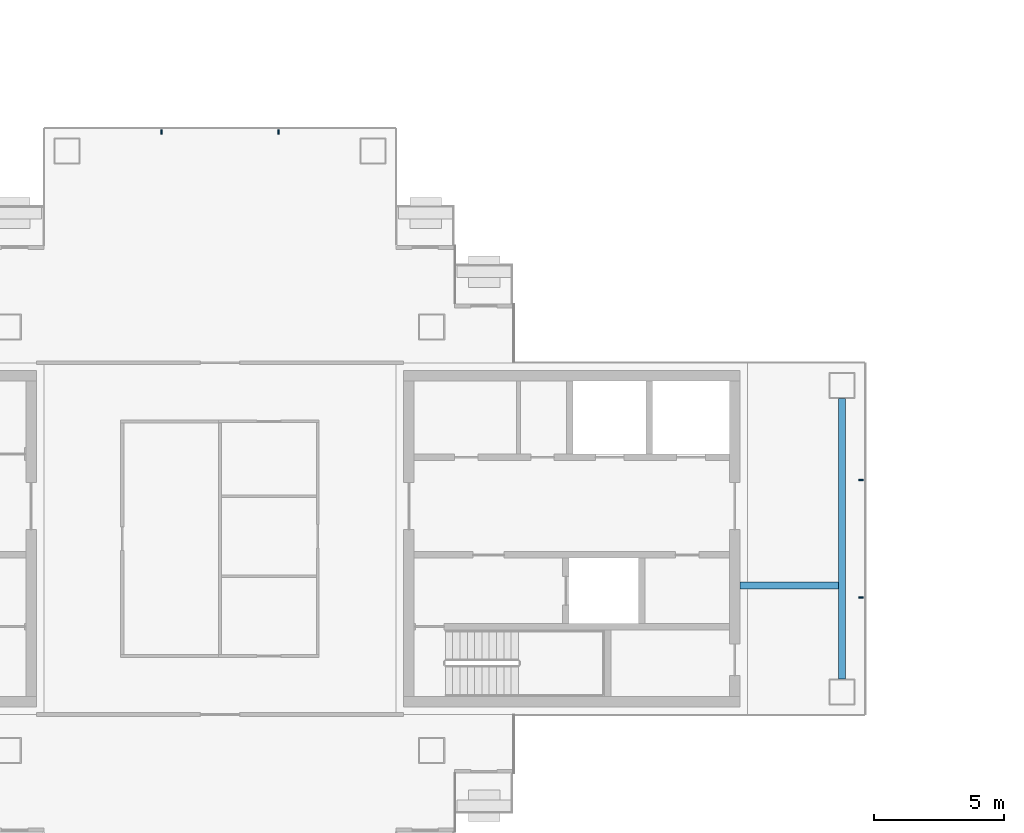
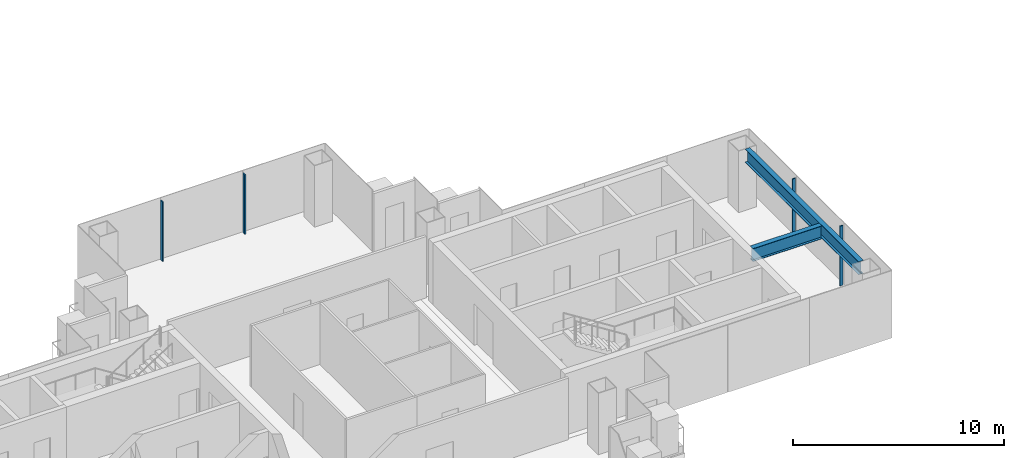
# One storey, part 4 of 17: 4 members, 2 beams, 2 elements without a shape of their own.
"""IFC4 building model written with IfcOpenShell, lengths in metres."""

from ifc_helpers import new_model, si_unit, direction, frame, origin, origin_2d, place, context, subcontext, project, spatial, rectangle, i_section, extrude, material, layer, layer_set, material_profile, profile_set, type_object, element, aggregate, save


model = new_model("IFC4")

# Units and contexts
model_context = context("Model", 3, precision=1e-05, world=origin(), true_north=direction((0.0, 1.0)))
body_context = subcontext(model_context, "Body", "Model", "MODEL_VIEW")
ifc_project = project(units=[si_unit("LENGTHUNIT", "METRE"), si_unit("AREAUNIT", "SQUARE_METRE"), si_unit("VOLUMEUNIT", "CUBIC_METRE"), si_unit("PLANEANGLEUNIT", "RADIAN"), si_unit("MASSUNIT", "GRAM", prefix="KILO")], contexts=[model_context])

# Site, building, storey
site_placement = place(None, origin())
site = spatial("IfcSite", under=ifc_project, at=site_placement, CompositionType="ELEMENT")
building_placement = place(site_placement, origin())
building = spatial("IfcBuilding", under=site, at=building_placement, Name="Shamsa Quay Exchange Towers", CompositionType="ELEMENT")
storey_placement = place(building_placement, frame((0.0, 0.0, 217.800048828125)))
storey = spatial("IfcBuildingStorey", under=building, at=storey_placement, Name="L52", CompositionType="ELEMENT", Elevation=217.800048828125)

# Curtain wall, members
ifc_material_1 = material(Name="Aluminium EN AW-6063 T6, black anodised", Category="aluminium")
ifc_layer = layer(ifc_material_1, 0.280029296875)
ifc_layer_set = layer_set([ifc_layer], Name="CW-1 UNITISED VISION GLASS")
curtain_wall_type = type_object("IfcCurtainWallType", Name="CW-1 UNITISED VISION GLASS", PredefinedType="NOTDEFINED", material=ifc_layer_set)
curtain_wall_1_placement = place(storey_placement, origin())
curtain_wall_1 = element("IfcCurtainWall", 1, at=curtain_wall_1_placement, inside=storey, type_object=curtain_wall_type, Name="CW1 T1-END-U+ L52", PredefinedType="NOTDEFINED")
ifc_material_profile_1 = material_profile(ifc_material_1, rectangle(XDim=0.179931640625, YDim=0.06005859375, at=origin_2d()), Name="MU60x180")
ifc_profile_set_1 = profile_set([ifc_material_profile_1], Name="Aluminium EN AW-6063 T6, black anodised")
member_type = type_object("IfcMemberType", Name="CW1 MULLION 60x180", PredefinedType="MULLION", material=ifc_profile_set_1)
member_1_placement = place(storey_placement, frame((-9.14990234375, -2.25, 0.0), z_axis=(0.0, 0.0, 1.0), x_axis=(-1.0, 0.0, 0.0)))
member_1 = element("IfcMember", 2, at=member_1_placement, type_object=member_type, Name="CW1 mullion", PredefinedType="MULLION", context=body_context, shape_type="SweptSolid", body=[
    extrude(rectangle(XDim=0.179931640625, YDim=0.06005859375, at=origin_2d()), origin(), (0.0, 0.0, 1.0), 3.449951171875),
])
member_2_placement = place(storey_placement, frame((-9.14990234375, 2.25, 0.0), z_axis=(0.0, 0.0, 1.0), x_axis=(-1.0, 0.0, 0.0)))
member_2 = element("IfcMember", 3, at=member_2_placement, type_object=member_type, Name="CW1 mullion", PredefinedType="MULLION", context=body_context, shape_type="SweptSolid", body=[
    extrude(rectangle(XDim=0.179931640625, YDim=0.06005859375, at=origin_2d()), origin(), (0.0, 0.0, 1.0), 3.449951171875),
])
aggregate(curtain_wall_1, [member_1, member_2])

curtain_wall_2_placement = place(storey_placement, origin())
curtain_wall_2 = element("IfcCurtainWall", 4, at=curtain_wall_2_placement, inside=storey, type_object=curtain_wall_type, Name="CW1 T1-END-V+ L52", PredefinedType="NOTDEFINED")
member_3_placement = place(storey_placement, frame((-31.5, 15.60009765625, 0.0), z_axis=(0.0, 0.0, 1.0), x_axis=(0.0, -1.0, 0.0)))
member_3 = element("IfcMember", 5, at=member_3_placement, type_object=member_type, Name="CW1 mullion", PredefinedType="MULLION", context=body_context, shape_type="SweptSolid", body=[
    extrude(rectangle(XDim=0.179931640625, YDim=0.06005859375, at=origin_2d()), origin(), (0.0, 0.0, 1.0), 3.449951171875),
])
member_4_placement = place(storey_placement, frame((-36.0, 15.60009765625, 0.0), z_axis=(0.0, 0.0, 1.0), x_axis=(0.0, -1.0, 0.0)))
member_4 = element("IfcMember", 6, at=member_4_placement, type_object=member_type, Name="CW1 mullion", PredefinedType="MULLION", context=body_context, shape_type="SweptSolid", body=[
    extrude(rectangle(XDim=0.179931640625, YDim=0.06005859375, at=origin_2d()), origin(), (0.0, 0.0, 1.0), 3.449951171875),
])
aggregate(curtain_wall_2, [member_3, member_4])

# Beams
ifc_material_2 = material(Name="Steel S355", Category="steel")
ifc_material_profile_2 = material_profile(ifc_material_2, i_section(OverallWidth=0.26611328125, OverallDepth=0.7578125, WebThickness=0.013916015625, FlangeThickness=0.019287109375, at=origin_2d()), Name="W30x108")
ifc_profile_set_2 = profile_set([ifc_material_profile_2], Name="Steel S355")
beam_type = type_object("IfcBeamType", Name="End-zone beam W30x108", PredefinedType="BEAM", material=ifc_profile_set_2)
beam_1_placement = place(storey_placement, frame((-9.875, -5.375, 3.171142578125), z_axis=(0.0, 1.0, 0.0), x_axis=(-1.0, 0.0, 0.0)))
element("IfcBeam", 7, at=beam_1_placement, inside=storey, type_object=beam_type, Name="End beam T1 U+ end zone L52", PredefinedType="BEAM", context=body_context, shape_type="SweptSolid", body=[
    extrude(i_section(OverallWidth=0.26611328125, OverallDepth=0.7578125, WebThickness=0.013916015625, FlangeThickness=0.019287109375, at=origin_2d()), origin(), (0.0, 0.0, 1.0), 10.75),
])
beam_2_placement = place(storey_placement, frame((-13.800048828125, -1.800048828125, 3.171142578125), z_axis=(1.0, 0.0, 0.0), x_axis=(0.0, 1.0, 0.0)))
element("IfcBeam", 8, at=beam_2_placement, inside=storey, type_object=beam_type, Name="Spine beam T1 U+ end zone L52", PredefinedType="BEAM", context=body_context, shape_type="SweptSolid", body=[
    extrude(i_section(OverallWidth=0.26611328125, OverallDepth=0.7578125, WebThickness=0.013916015625, FlangeThickness=0.019287109375, at=origin_2d()), origin(), (0.0, 0.0, 1.0), 3.7919921875),
])

save(model, "model.ifc")
